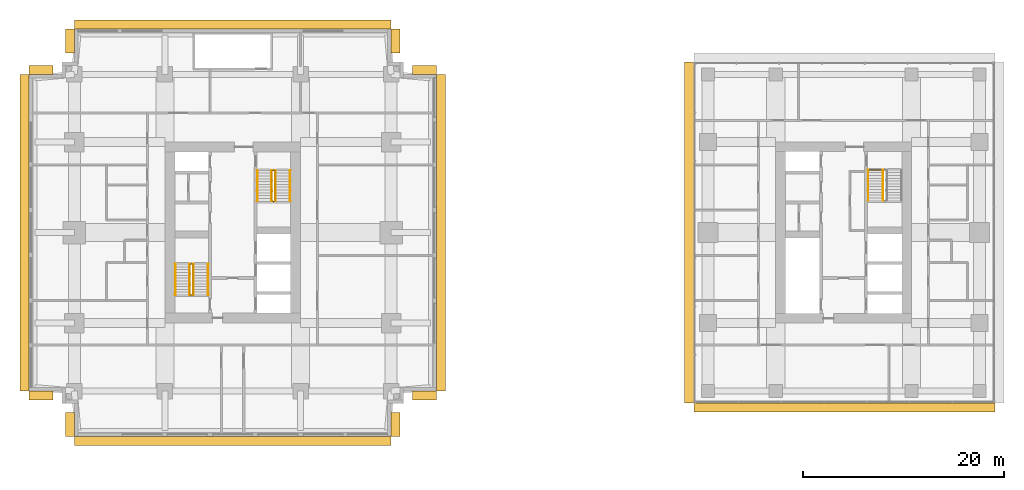
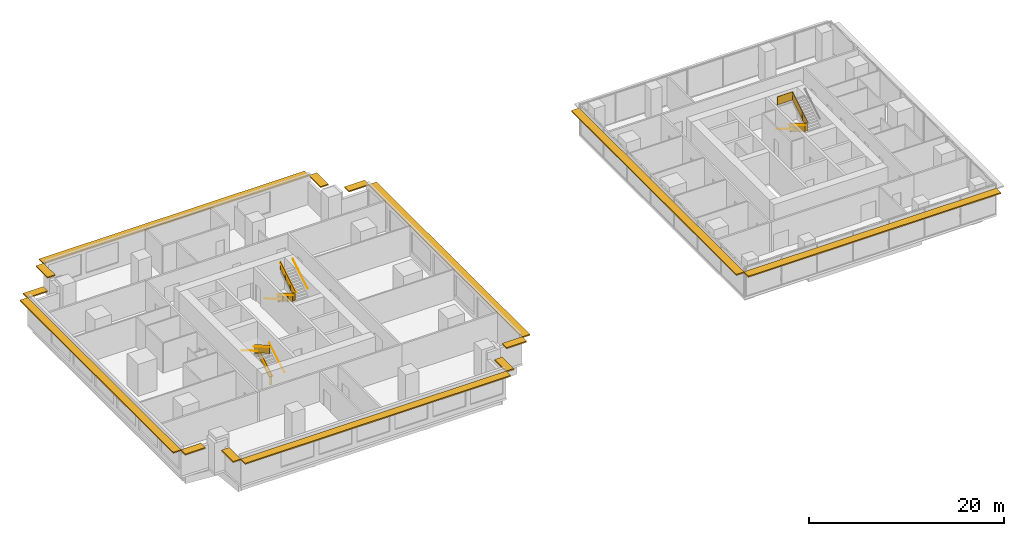
# One storey, part 13 of 14: 14 shading devices, 13 railings.
"""IFC4 building model written with IfcOpenShell, lengths in metres."""

from ifc_helpers import new_model, si_unit, direction, frame, origin, origin_2d, place, context, subcontext, project, spatial, polyline, rectangle, circle, outline, extrude, material, layer, layer_set, type_object, element, save


model = new_model("IFC4")

# Units and contexts
model_context = context("Model", 3, precision=1e-05, world=origin(), true_north=direction((0.0, 1.0)))
body_context = subcontext(model_context, "Body", "Model", "MODEL_VIEW")
ifc_project = project(units=[si_unit("LENGTHUNIT", "METRE"), si_unit("AREAUNIT", "SQUARE_METRE"), si_unit("VOLUMEUNIT", "CUBIC_METRE"), si_unit("PLANEANGLEUNIT", "RADIAN"), si_unit("MASSUNIT", "GRAM", prefix="KILO")], contexts=[model_context])

# Site, building, storey
site_placement = place(None, origin())
site = spatial("IfcSite", under=ifc_project, at=site_placement, CompositionType="ELEMENT")
building_placement = place(site_placement, origin())
building = spatial("IfcBuilding", under=site, at=building_placement, Name="Namib Vertical Campus", CompositionType="ELEMENT")
storey_placement = place(building_placement, frame((0.0, 0.0, 233.0)))
storey = spatial("IfcBuildingStorey", under=building, at=storey_placement, Name="L55", CompositionType="ELEMENT", Elevation=233.0)

# Railings
ifc_material_1 = material(Name="Steel handrail", Category="steel")
railing_type_1 = type_object("IfcRailingType", Name="Handrail 900", PredefinedType="HANDRAIL", material=ifc_material_1)
railing_1_placement = place(storey_placement, frame((17.800048828125, 14.050048828125, 0.166748046875)))
element("IfcRailing", 1, at=railing_1_placement, inside=storey, type_object=railing_type_1, Name="Handrail HR1 A-S1 L55 1", PredefinedType="HANDRAIL", context=body_context, shape_type="SweptSolid", body=[
    extrude(circle(Radius=0.02392578125, at=origin_2d()), frame((0.0, 0.0, 0.8759765625), z_axis=(0.0, 0.859290745958, 0.51148745235), x_axis=(-1.0, 0.0, 0.0)), (0.0, 0.0, 1.0), 3.584228515625),
    extrude(circle(Radius=0.008056640625, at=origin_2d()), frame((0.0, 0.0, 0.8759765625), z_axis=(1.0, 0.0, 0.0), x_axis=(0.0, 0.0, 1.0)), (0.0, 0.0, 1.0), 0.050048828125),
    extrude(circle(Radius=0.008056640625, at=origin_2d()), frame((0.0, 1.026611328125, 1.48681640625), z_axis=(1.0, 0.0, 0.0), x_axis=(0.0, 0.0, 1.0)), (0.0, 0.0, 1.0), 0.050048828125),
    extrude(circle(Radius=0.008056640625, at=origin_2d()), frame((0.0, 2.05322265625, 2.09814453125), z_axis=(1.0, 0.0, 0.0), x_axis=(0.0, 0.0, 1.0)), (0.0, 0.0, 1.0), 0.050048828125),
    extrude(circle(Radius=0.008056640625, at=origin_2d()), frame((0.0, 3.079833984375, 2.708984375), z_axis=(1.0, 0.0, 0.0), x_axis=(0.0, 0.0, 1.0)), (0.0, 0.0, 1.0), 0.050048828125),
])
railing_2_placement = place(storey_placement, frame((14.550048828125, 17.1298828125, 2.166748046875)))
element("IfcRailing", 2, at=railing_2_placement, inside=storey, type_object=railing_type_1, Name="Handrail HR1 A-S1 L55 2", PredefinedType="HANDRAIL", context=body_context, shape_type="SweptSolid", body=[
    extrude(circle(Radius=0.02392578125, at=origin_2d()), frame((0.0, 0.0, 0.8759765625), z_axis=(0.0, -0.859290745958, 0.51148745235), x_axis=(1.0, 0.0, 0.0)), (0.0, 0.0, 1.0), 3.584228515625),
    extrude(circle(Radius=0.008056640625, at=origin_2d()), frame((0.0, 0.0, 0.8759765625), z_axis=(-1.0, 0.0, 0.0), x_axis=(0.0, 0.0, 1.0)), (0.0, 0.0, 1.0), 0.050048828125),
    extrude(circle(Radius=0.008056640625, at=origin_2d()), frame((0.0, -1.026611328125, 1.48681640625), z_axis=(-1.0, 0.0, 0.0), x_axis=(0.0, 0.0, 1.0)), (0.0, 0.0, 1.0), 0.050048828125),
    extrude(circle(Radius=0.008056640625, at=origin_2d()), frame((0.0, -2.05322265625, 2.09814453125), z_axis=(-1.0, 0.0, 0.0), x_axis=(0.0, 0.0, 1.0)), (0.0, 0.0, 1.0), 0.050048828125),
    extrude(circle(Radius=0.008056640625, at=origin_2d()), frame((0.0, -3.079833984375, 2.708984375), z_axis=(-1.0, 0.0, 0.0), x_axis=(0.0, 0.0, 1.0)), (0.0, 0.0, 1.0), 0.050048828125),
])
railing_3_placement = place(storey_placement, frame((16.375, 14.050048828125, 0.166748046875)))
element("IfcRailing", 3, at=railing_3_placement, inside=storey, type_object=railing_type_1, Name="Handrail HR1 A-S1 L55 1 at the well", PredefinedType="HANDRAIL", context=body_context, shape_type="SweptSolid", body=[
    extrude(circle(Radius=0.02392578125, at=origin_2d()), frame((0.0, 0.0, 0.8759765625), z_axis=(0.0, 0.859290745958, 0.51148745235), x_axis=(-1.0, 0.0, 0.0)), (0.0, 0.0, 1.0), 3.584228515625),
    extrude(circle(Radius=0.008056640625, at=origin_2d()), frame((0.0, 0.0, 0.8759765625), z_axis=(-1.0, 0.0, 0.0), x_axis=(0.0, 0.0, 1.0)), (0.0, 0.0, 1.0), 0.0400390625),
    extrude(circle(Radius=0.008056640625, at=origin_2d()), frame((0.0, 1.026611328125, 1.48681640625), z_axis=(-1.0, 0.0, 0.0), x_axis=(0.0, 0.0, 1.0)), (0.0, 0.0, 1.0), 0.0400390625),
    extrude(circle(Radius=0.008056640625, at=origin_2d()), frame((0.0, 2.05322265625, 2.09814453125), z_axis=(-1.0, 0.0, 0.0), x_axis=(0.0, 0.0, 1.0)), (0.0, 0.0, 1.0), 0.0400390625),
    extrude(circle(Radius=0.008056640625, at=origin_2d()), frame((0.0, 3.079833984375, 2.708984375), z_axis=(-1.0, 0.0, 0.0), x_axis=(0.0, 0.0, 1.0)), (0.0, 0.0, 1.0), 0.0400390625),
])
railing_4_placement = place(storey_placement, frame((15.97509765625, 17.1298828125, 2.166748046875)))
element("IfcRailing", 4, at=railing_4_placement, inside=storey, type_object=railing_type_1, Name="Handrail HR1 A-S1 L55 2 at the well", PredefinedType="HANDRAIL", context=body_context, shape_type="SweptSolid", body=[
    extrude(circle(Radius=0.02392578125, at=origin_2d()), frame((0.0, 0.0, 0.8759765625), z_axis=(0.0, -0.859290745958, 0.51148745235), x_axis=(1.0, 0.0, 0.0)), (0.0, 0.0, 1.0), 3.584228515625),
    extrude(circle(Radius=0.008056640625, at=origin_2d()), frame((0.0, 0.0, 0.8759765625), z_axis=(1.0, 0.0, 0.0), x_axis=(0.0, 0.0, 1.0)), (0.0, 0.0, 1.0), 0.0400390625),
    extrude(circle(Radius=0.008056640625, at=origin_2d()), frame((0.0, -1.026611328125, 1.48681640625), z_axis=(1.0, 0.0, 0.0), x_axis=(0.0, 0.0, 1.0)), (0.0, 0.0, 1.0), 0.0400390625),
    extrude(circle(Radius=0.008056640625, at=origin_2d()), frame((0.0, -2.05322265625, 2.09814453125), z_axis=(1.0, 0.0, 0.0), x_axis=(0.0, 0.0, 1.0)), (0.0, 0.0, 1.0), 0.0400390625),
    extrude(circle(Radius=0.008056640625, at=origin_2d()), frame((0.0, -3.079833984375, 2.708984375), z_axis=(1.0, 0.0, 0.0), x_axis=(0.0, 0.0, 1.0)), (0.0, 0.0, 1.0), 0.0400390625),
])
railing_5_placement = place(storey_placement, frame((22.699951171875, 26.449951171875, 0.166748046875)))
element("IfcRailing", 5, at=railing_5_placement, inside=storey, type_object=railing_type_1, Name="Handrail HR1 A-S2 L55 1", PredefinedType="HANDRAIL", context=body_context, shape_type="SweptSolid", body=[
    extrude(circle(Radius=0.02392578125, at=origin_2d()), frame((0.0, 0.0, 0.8759765625), z_axis=(0.0, -0.859290745958, 0.51148745235), x_axis=(1.0, 0.0, 0.0)), (0.0, 0.0, 1.0), 3.584228515625),
    extrude(circle(Radius=0.008056640625, at=origin_2d()), frame((0.0, 0.0, 0.8759765625), z_axis=(-1.0, 0.0, 0.0), x_axis=(0.0, 0.0, 1.0)), (0.0, 0.0, 1.0), 0.050048828125),
    extrude(circle(Radius=0.008056640625, at=origin_2d()), frame((0.0, -1.026611328125, 1.48681640625), z_axis=(-1.0, 0.0, 0.0), x_axis=(0.0, 0.0, 1.0)), (0.0, 0.0, 1.0), 0.050048828125),
    extrude(circle(Radius=0.008056640625, at=origin_2d()), frame((0.0, -2.05322265625, 2.09814453125), z_axis=(-1.0, 0.0, 0.0), x_axis=(0.0, 0.0, 1.0)), (0.0, 0.0, 1.0), 0.050048828125),
    extrude(circle(Radius=0.008056640625, at=origin_2d()), frame((0.0, -3.079833984375, 2.708984375), z_axis=(-1.0, 0.0, 0.0), x_axis=(0.0, 0.0, 1.0)), (0.0, 0.0, 1.0), 0.050048828125),
])
railing_6_placement = place(storey_placement, frame((25.949951171875, 23.3701171875, 2.166748046875)))
element("IfcRailing", 6, at=railing_6_placement, inside=storey, type_object=railing_type_1, Name="Handrail HR1 A-S2 L55 2", PredefinedType="HANDRAIL", context=body_context, shape_type="SweptSolid", body=[
    extrude(circle(Radius=0.02392578125, at=origin_2d()), frame((0.0, 0.0, 0.8759765625), z_axis=(0.0, 0.859290745958, 0.51148745235), x_axis=(-1.0, 0.0, 0.0)), (0.0, 0.0, 1.0), 3.584228515625),
    extrude(circle(Radius=0.008056640625, at=origin_2d()), frame((0.0, 0.0, 0.8759765625), z_axis=(1.0, 0.0, 0.0), x_axis=(0.0, 0.0, 1.0)), (0.0, 0.0, 1.0), 0.050048828125),
    extrude(circle(Radius=0.008056640625, at=origin_2d()), frame((0.0, 1.026611328125, 1.48681640625), z_axis=(1.0, 0.0, 0.0), x_axis=(0.0, 0.0, 1.0)), (0.0, 0.0, 1.0), 0.050048828125),
    extrude(circle(Radius=0.008056640625, at=origin_2d()), frame((0.0, 2.05322265625, 2.09814453125), z_axis=(1.0, 0.0, 0.0), x_axis=(0.0, 0.0, 1.0)), (0.0, 0.0, 1.0), 0.050048828125),
    extrude(circle(Radius=0.008056640625, at=origin_2d()), frame((0.0, 3.079833984375, 2.708984375), z_axis=(1.0, 0.0, 0.0), x_axis=(0.0, 0.0, 1.0)), (0.0, 0.0, 1.0), 0.050048828125),
])
railing_7_placement = place(storey_placement, frame((24.125, 26.449951171875, 0.166748046875)))
element("IfcRailing", 7, at=railing_7_placement, inside=storey, type_object=railing_type_1, Name="Handrail HR1 A-S2 L55 1 at the well", PredefinedType="HANDRAIL", context=body_context, shape_type="SweptSolid", body=[
    extrude(circle(Radius=0.02392578125, at=origin_2d()), frame((0.0, 0.0, 0.8759765625), z_axis=(0.0, -0.859290745958, 0.51148745235), x_axis=(1.0, 0.0, 0.0)), (0.0, 0.0, 1.0), 3.584228515625),
    extrude(circle(Radius=0.008056640625, at=origin_2d()), frame((0.0, 0.0, 0.8759765625), z_axis=(1.0, 0.0, 0.0), x_axis=(0.0, 0.0, 1.0)), (0.0, 0.0, 1.0), 0.0400390625),
    extrude(circle(Radius=0.008056640625, at=origin_2d()), frame((0.0, -1.026611328125, 1.48681640625), z_axis=(1.0, 0.0, 0.0), x_axis=(0.0, 0.0, 1.0)), (0.0, 0.0, 1.0), 0.0400390625),
    extrude(circle(Radius=0.008056640625, at=origin_2d()), frame((0.0, -2.05322265625, 2.09814453125), z_axis=(1.0, 0.0, 0.0), x_axis=(0.0, 0.0, 1.0)), (0.0, 0.0, 1.0), 0.0400390625),
    extrude(circle(Radius=0.008056640625, at=origin_2d()), frame((0.0, -3.079833984375, 2.708984375), z_axis=(1.0, 0.0, 0.0), x_axis=(0.0, 0.0, 1.0)), (0.0, 0.0, 1.0), 0.0400390625),
])
railing_8_placement = place(storey_placement, frame((24.52490234375, 23.3701171875, 2.166748046875)))
element("IfcRailing", 8, at=railing_8_placement, inside=storey, type_object=railing_type_1, Name="Handrail HR1 A-S2 L55 2 at the well", PredefinedType="HANDRAIL", context=body_context, shape_type="SweptSolid", body=[
    extrude(circle(Radius=0.02392578125, at=origin_2d()), frame((0.0, 0.0, 0.8759765625), z_axis=(0.0, 0.859290745958, 0.51148745235), x_axis=(-1.0, 0.0, 0.0)), (0.0, 0.0, 1.0), 3.584228515625),
    extrude(circle(Radius=0.008056640625, at=origin_2d()), frame((0.0, 0.0, 0.8759765625), z_axis=(-1.0, 0.0, 0.0), x_axis=(0.0, 0.0, 1.0)), (0.0, 0.0, 1.0), 0.0400390625),
    extrude(circle(Radius=0.008056640625, at=origin_2d()), frame((0.0, 1.026611328125, 1.48681640625), z_axis=(-1.0, 0.0, 0.0), x_axis=(0.0, 0.0, 1.0)), (0.0, 0.0, 1.0), 0.0400390625),
    extrude(circle(Radius=0.008056640625, at=origin_2d()), frame((0.0, 2.05322265625, 2.09814453125), z_axis=(-1.0, 0.0, 0.0), x_axis=(0.0, 0.0, 1.0)), (0.0, 0.0, 1.0), 0.0400390625),
    extrude(circle(Radius=0.008056640625, at=origin_2d()), frame((0.0, 3.079833984375, 2.708984375), z_axis=(-1.0, 0.0, 0.0), x_axis=(0.0, 0.0, 1.0)), (0.0, 0.0, 1.0), 0.0400390625),
])
railing_9_placement = place(storey_placement, frame((83.449951171875, 26.5, 0.166748046875)))
element("IfcRailing", 9, at=railing_9_placement, inside=storey, type_object=railing_type_1, Name="Handrail HR1 B-S2 L55 1", PredefinedType="HANDRAIL", context=body_context, shape_type="SweptSolid", body=[
    extrude(circle(Radius=0.02392578125, at=origin_2d()), frame((0.0, 0.0, 0.8759765625), z_axis=(0.0, -0.859308565015, 0.511457515432), x_axis=(1.0, 0.0, 0.0)), (0.0, 0.0, 1.0), 3.58447265625),
    extrude(circle(Radius=0.008056640625, at=origin_2d()), frame((0.0, 0.0, 0.8759765625), z_axis=(-1.0, 0.0, 0.0), x_axis=(0.0, 0.0, 1.0)), (0.0, 0.0, 1.0), 0.050048828125),
    extrude(circle(Radius=0.008056640625, at=origin_2d()), frame((0.0, -1.026611328125, 1.48681640625), z_axis=(-1.0, 0.0, 0.0), x_axis=(0.0, 0.0, 1.0)), (0.0, 0.0, 1.0), 0.050048828125),
    extrude(circle(Radius=0.008056640625, at=origin_2d()), frame((0.0, -2.053466796875, 2.09814453125), z_axis=(-1.0, 0.0, 0.0), x_axis=(0.0, 0.0, 1.0)), (0.0, 0.0, 1.0), 0.050048828125),
    extrude(circle(Radius=0.008056640625, at=origin_2d()), frame((0.0, -3.080078125, 2.708984375), z_axis=(-1.0, 0.0, 0.0), x_axis=(0.0, 0.0, 1.0)), (0.0, 0.0, 1.0), 0.050048828125),
])
railing_10_placement = place(storey_placement, frame((84.89990234375, 26.5, 0.166748046875)))
element("IfcRailing", 10, at=railing_10_placement, inside=storey, type_object=railing_type_1, Name="Handrail HR1 B-S2 L55 1 at the well", PredefinedType="HANDRAIL", context=body_context, shape_type="SweptSolid", body=[
    extrude(circle(Radius=0.02392578125, at=origin_2d()), frame((0.0, 0.0, 0.8759765625), z_axis=(0.0, -0.859308565015, 0.511457515432), x_axis=(1.0, 0.0, 0.0)), (0.0, 0.0, 1.0), 3.58447265625),
    extrude(circle(Radius=0.008056640625, at=origin_2d()), frame((0.0, 0.0, 0.8759765625), z_axis=(1.0, 0.0, 0.0), x_axis=(0.0, 0.0, 1.0)), (0.0, 0.0, 1.0), 0.0400390625),
    extrude(circle(Radius=0.008056640625, at=origin_2d()), frame((0.0, -1.026611328125, 1.48681640625), z_axis=(1.0, 0.0, 0.0), x_axis=(0.0, 0.0, 1.0)), (0.0, 0.0, 1.0), 0.0400390625),
    extrude(circle(Radius=0.008056640625, at=origin_2d()), frame((0.0, -2.053466796875, 2.09814453125), z_axis=(1.0, 0.0, 0.0), x_axis=(0.0, 0.0, 1.0)), (0.0, 0.0, 1.0), 0.0400390625),
    extrude(circle(Radius=0.008056640625, at=origin_2d()), frame((0.0, -3.080078125, 2.708984375), z_axis=(1.0, 0.0, 0.0), x_axis=(0.0, 0.0, 1.0)), (0.0, 0.0, 1.0), 0.0400390625),
])
ifc_material_2 = material(Name="Steel balustrade", Category="steel")
railing_type_2 = type_object("IfcRailingType", Name="Stair guard 1100", PredefinedType="GUARDRAIL", material=ifc_material_2)
railing_11_placement = place(storey_placement, frame((16.02490234375, 14.050048828125, 0.0)))
element("IfcRailing", 11, at=railing_11_placement, inside=storey, type_object=railing_type_2, Name="Stair guard GR1 A-S1 L55", PredefinedType="GUARDRAIL", context=body_context, shape_type="SweptSolid", body=[
    extrude(circle(Radius=0.02392578125, at=origin_2d()), frame((0.0, 0.0, 1.076171875), z_axis=(1.0, 0.0, 0.0), x_axis=(0.0, 1.0, 0.0)), (0.0, 0.0, 1.0), 0.300048828125),
    extrude(outline(polyline([(0.02099609375, 0.050048828125), (0.279052734375, 0.050048828125), (0.279052734375, 1.052001953125), (0.02099609375, 1.052001953125), (0.02099609375, 0.050048828125)])), frame((0.0, 0.010009765625, 0.0), z_axis=(0.0, -1.0, 0.0), x_axis=(1.0, 0.0, 0.0)), (0.0, 0.0, 1.0), 0.02001953125),
    extrude(circle(Radius=0.02392578125, at=origin_2d()), frame((0.300048828125, 0.0, 1.076171875), z_axis=(0.0, 0.0, 1.0), x_axis=(1.0, 0.0, 0.0)), (0.0, 0.0, 1.0), 0.166748046875),
    extrude(circle(Radius=0.02392578125, at=origin_2d()), frame((0.300048828125, 0.0, 1.24267578125), z_axis=(0.0, 0.859290745958, 0.51148745235), x_axis=(-1.0, 0.0, 0.0)), (0.0, 0.0, 1.0), 3.584228515625),
    extrude(outline(polyline([(0.02099609375, 0.0625), (3.058837890625, 1.870849609375), (3.058837890625, 2.872802734375), (0.02099609375, 1.064453125), (0.02099609375, 0.0625)])), frame((0.2900390625, 0.0, 0.166748046875), z_axis=(1.0, 0.0, 0.0), x_axis=(0.0, 1.0, 0.0)), (0.0, 0.0, 1.0), 0.02001953125),
    extrude(circle(Radius=0.02392578125, at=origin_2d()), frame((0.300048828125, 3.079833984375, 3.076171875), z_axis=(-1.0, 0.0, 0.0), x_axis=(0.0, -1.0, 0.0)), (0.0, 0.0, 1.0), 0.300048828125),
    extrude(outline(polyline([(0.02099609375, 0.050048828125), (0.279052734375, 0.050048828125), (0.279052734375, 1.052001953125), (0.02099609375, 1.052001953125), (0.02099609375, 0.050048828125)])), frame((0.300048828125, 3.06982421875, 2.0), z_axis=(0.0, 1.0, 0.0), x_axis=(-1.0, 0.0, 0.0)), (0.0, 0.0, 1.0), 0.02001953125),
    extrude(circle(Radius=0.02392578125, at=origin_2d()), frame((0.0, 3.079833984375, 3.076171875), z_axis=(0.0, 0.0, 1.0), x_axis=(1.0, 0.0, 0.0)), (0.0, 0.0, 1.0), 0.166748046875),
    extrude(circle(Radius=0.02392578125, at=origin_2d()), frame((0.0, 3.079833984375, 3.24267578125), z_axis=(0.0, -0.859290745958, 0.51148745235), x_axis=(1.0, 0.0, 0.0)), (0.0, 0.0, 1.0), 3.584228515625),
    extrude(outline(polyline([(0.02099609375, 0.0625), (3.058837890625, 1.870849609375), (3.058837890625, 2.872802734375), (0.02099609375, 1.064453125), (0.02099609375, 0.0625)])), frame((0.010009765625, 3.079833984375, 2.166748046875), z_axis=(-1.0, 0.0, 0.0), x_axis=(0.0, -1.0, 0.0)), (0.0, 0.0, 1.0), 0.02001953125),
    extrude(circle(Radius=0.02392578125, at=origin_2d()), frame((0.0, 0.0, 5.076171875), z_axis=(0.0, -1.0, 0.0), x_axis=(1.0, 0.0, 0.0)), (0.0, 0.0, 1.0), 0.050048828125),
    extrude(outline(polyline([(0.02099609375, 0.050048828125), (0.029052734375, 0.050048828125), (0.029052734375, 1.052001953125), (0.02099609375, 1.052001953125), (0.02099609375, 0.050048828125)])), frame((0.010009765625, 0.0, 4.0), z_axis=(-1.0, 0.0, 0.0), x_axis=(0.0, -1.0, 0.0)), (0.0, 0.0, 1.0), 0.02001953125),
    extrude(circle(Radius=0.02099609375, at=origin_2d()), origin(), (0.0, 0.0, 1.0), 1.052001953125),
    extrude(circle(Radius=0.02099609375, at=origin_2d()), frame((0.300048828125, 0.0, 0.166748046875)), (0.0, 0.0, 1.0), 1.052001953125),
    extrude(circle(Radius=0.02099609375, at=origin_2d()), frame((0.300048828125, 1.026611328125, 0.666748046875)), (0.0, 0.0, 1.0), 1.1630859375),
    extrude(circle(Radius=0.02099609375, at=origin_2d()), frame((0.300048828125, 2.05322265625, 1.33349609375)), (0.0, 0.0, 1.0), 1.107421875),
    extrude(circle(Radius=0.02099609375, at=origin_2d()), frame((0.300048828125, 3.079833984375, 2.0)), (0.0, 0.0, 1.0), 1.052001953125),
    extrude(circle(Radius=0.02099609375, at=origin_2d()), frame((0.0, 3.079833984375, 2.166748046875)), (0.0, 0.0, 1.0), 1.052001953125),
    extrude(circle(Radius=0.02099609375, at=origin_2d()), frame((0.0, 2.05322265625, 2.666748046875)), (0.0, 0.0, 1.0), 1.1630859375),
    extrude(circle(Radius=0.02099609375, at=origin_2d()), frame((0.0, 1.026611328125, 3.33349609375)), (0.0, 0.0, 1.0), 1.107421875),
    extrude(circle(Radius=0.02099609375, at=origin_2d()), frame((0.0, 0.0, 4.0)), (0.0, 0.0, 1.0), 1.052001953125),
    extrude(circle(Radius=0.02099609375, at=origin_2d()), frame((0.0, -0.050048828125, 4.0)), (0.0, 0.0, 1.0), 1.052001953125),
])
railing_12_placement = place(storey_placement, frame((24.47509765625, 26.449951171875, 0.0)))
element("IfcRailing", 12, at=railing_12_placement, inside=storey, type_object=railing_type_2, Name="Stair guard GR1 A-S2 L55", PredefinedType="GUARDRAIL", context=body_context, shape_type="SweptSolid", body=[
    extrude(circle(Radius=0.02392578125, at=origin_2d()), frame((0.0, 0.0, 1.076171875), z_axis=(-1.0, 0.0, 0.0), x_axis=(0.0, -1.0, 0.0)), (0.0, 0.0, 1.0), 0.300048828125),
    extrude(outline(polyline([(0.02099609375, 0.050048828125), (0.279052734375, 0.050048828125), (0.279052734375, 1.052001953125), (0.02099609375, 1.052001953125), (0.02099609375, 0.050048828125)])), frame((0.0, -0.010009765625, 0.0), z_axis=(0.0, 1.0, 0.0), x_axis=(-1.0, 0.0, 0.0)), (0.0, 0.0, 1.0), 0.02001953125),
    extrude(circle(Radius=0.02392578125, at=origin_2d()), frame((-0.300048828125, 0.0, 1.076171875), z_axis=(0.0, 0.0, 1.0), x_axis=(1.0, 0.0, 0.0)), (0.0, 0.0, 1.0), 0.166748046875),
    extrude(circle(Radius=0.02392578125, at=origin_2d()), frame((-0.300048828125, 0.0, 1.24267578125), z_axis=(0.0, -0.859290745958, 0.51148745235), x_axis=(1.0, 0.0, 0.0)), (0.0, 0.0, 1.0), 3.584228515625),
    extrude(outline(polyline([(0.02099609375, 0.0625), (3.058837890625, 1.870849609375), (3.058837890625, 2.872802734375), (0.02099609375, 1.064453125), (0.02099609375, 0.0625)])), frame((-0.2900390625, 0.0, 0.166748046875), z_axis=(-1.0, 0.0, 0.0), x_axis=(0.0, -1.0, 0.0)), (0.0, 0.0, 1.0), 0.02001953125),
    extrude(circle(Radius=0.02392578125, at=origin_2d()), frame((-0.300048828125, -3.079833984375, 3.076171875), z_axis=(1.0, 0.0, 0.0), x_axis=(0.0, 1.0, 0.0)), (0.0, 0.0, 1.0), 0.300048828125),
    extrude(outline(polyline([(0.02099609375, 0.050048828125), (0.279052734375, 0.050048828125), (0.279052734375, 1.052001953125), (0.02099609375, 1.052001953125), (0.02099609375, 0.050048828125)])), frame((-0.300048828125, -3.06982421875, 2.0), z_axis=(0.0, -1.0, 0.0), x_axis=(1.0, 0.0, 0.0)), (0.0, 0.0, 1.0), 0.02001953125),
    extrude(circle(Radius=0.02392578125, at=origin_2d()), frame((0.0, -3.079833984375, 3.076171875), z_axis=(0.0, 0.0, 1.0), x_axis=(1.0, 0.0, 0.0)), (0.0, 0.0, 1.0), 0.166748046875),
    extrude(circle(Radius=0.02392578125, at=origin_2d()), frame((0.0, -3.079833984375, 3.24267578125), z_axis=(0.0, 0.859290745958, 0.51148745235), x_axis=(-1.0, 0.0, 0.0)), (0.0, 0.0, 1.0), 3.584228515625),
    extrude(outline(polyline([(0.02099609375, 0.0625), (3.058837890625, 1.870849609375), (3.058837890625, 2.872802734375), (0.02099609375, 1.064453125), (0.02099609375, 0.0625)])), frame((-0.010009765625, -3.079833984375, 2.166748046875), z_axis=(1.0, 0.0, 0.0), x_axis=(0.0, 1.0, 0.0)), (0.0, 0.0, 1.0), 0.02001953125),
    extrude(circle(Radius=0.02392578125, at=origin_2d()), frame((0.0, 0.0, 5.076171875), z_axis=(0.0, 1.0, 0.0), x_axis=(-1.0, 0.0, 0.0)), (0.0, 0.0, 1.0), 0.050048828125),
    extrude(outline(polyline([(0.02099609375, 0.050048828125), (0.029052734375, 0.050048828125), (0.029052734375, 1.052001953125), (0.02099609375, 1.052001953125), (0.02099609375, 0.050048828125)])), frame((-0.010009765625, 0.0, 4.0), z_axis=(1.0, 0.0, 0.0), x_axis=(0.0, 1.0, 0.0)), (0.0, 0.0, 1.0), 0.02001953125),
    extrude(circle(Radius=0.02099609375, at=origin_2d()), origin(), (0.0, 0.0, 1.0), 1.052001953125),
    extrude(circle(Radius=0.02099609375, at=origin_2d()), frame((-0.300048828125, 0.0, 0.166748046875)), (0.0, 0.0, 1.0), 1.052001953125),
    extrude(circle(Radius=0.02099609375, at=origin_2d()), frame((-0.300048828125, -1.026611328125, 0.666748046875)), (0.0, 0.0, 1.0), 1.1630859375),
    extrude(circle(Radius=0.02099609375, at=origin_2d()), frame((-0.300048828125, -2.05322265625, 1.33349609375)), (0.0, 0.0, 1.0), 1.107421875),
    extrude(circle(Radius=0.02099609375, at=origin_2d()), frame((-0.300048828125, -3.079833984375, 2.0)), (0.0, 0.0, 1.0), 1.052001953125),
    extrude(circle(Radius=0.02099609375, at=origin_2d()), frame((0.0, -3.079833984375, 2.166748046875)), (0.0, 0.0, 1.0), 1.052001953125),
    extrude(circle(Radius=0.02099609375, at=origin_2d()), frame((0.0, -2.05322265625, 2.666748046875)), (0.0, 0.0, 1.0), 1.1630859375),
    extrude(circle(Radius=0.02099609375, at=origin_2d()), frame((0.0, -1.026611328125, 3.33349609375)), (0.0, 0.0, 1.0), 1.107421875),
    extrude(circle(Radius=0.02099609375, at=origin_2d()), frame((0.0, 0.0, 4.0)), (0.0, 0.0, 1.0), 1.052001953125),
    extrude(circle(Radius=0.02099609375, at=origin_2d()), frame((0.0, 0.050048828125, 4.0)), (0.0, 0.0, 1.0), 1.052001953125),
])
railing_13_placement = place(storey_placement, frame((85.25, 26.5, 0.0)))
element("IfcRailing", 13, at=railing_13_placement, inside=storey, type_object=railing_type_2, Name="Stair guard GR1 B-S2 L55", PredefinedType="GUARDRAIL", context=body_context, shape_type="SweptSolid", body=[
    extrude(circle(Radius=0.02392578125, at=origin_2d()), frame((0.0, 0.0, 1.076171875), z_axis=(-1.0, 0.0, 0.0), x_axis=(0.0, -1.0, 0.0)), (0.0, 0.0, 1.0), 0.300048828125),
    extrude(outline(polyline([(0.02099609375, 0.050048828125), (0.279052734375, 0.050048828125), (0.279052734375, 1.052001953125), (0.02099609375, 1.052001953125), (0.02099609375, 0.050048828125)])), frame((0.0, -0.010009765625, 0.0), z_axis=(0.0, 1.0, 0.0), x_axis=(-1.0, 0.0, 0.0)), (0.0, 0.0, 1.0), 0.02001953125),
    extrude(circle(Radius=0.02392578125, at=origin_2d()), frame((-0.300048828125, 0.0, 1.076171875), z_axis=(0.0, 0.0, 1.0), x_axis=(1.0, 0.0, 0.0)), (0.0, 0.0, 1.0), 0.166748046875),
    extrude(circle(Radius=0.02392578125, at=origin_2d()), frame((-0.300048828125, 0.0, 1.24267578125), z_axis=(0.0, -0.859308565015, 0.511457515432), x_axis=(1.0, 0.0, 0.0)), (0.0, 0.0, 1.0), 3.58447265625),
    extrude(outline(polyline([(0.02099609375, 0.0625), (3.05908203125, 1.870849609375), (3.05908203125, 2.872802734375), (0.02099609375, 1.064453125), (0.02099609375, 0.0625)])), frame((-0.2900390625, 0.0, 0.166748046875), z_axis=(-1.0, 0.0, 0.0), x_axis=(0.0, -1.0, 0.0)), (0.0, 0.0, 1.0), 0.02001953125),
    extrude(circle(Radius=0.02392578125, at=origin_2d()), frame((-0.300048828125, -3.080078125, 3.076171875), z_axis=(1.0, 0.0, 0.0), x_axis=(0.0, 1.0, 0.0)), (0.0, 0.0, 1.0), 0.300048828125),
    extrude(outline(polyline([(0.02099609375, 0.050048828125), (0.279052734375, 0.050048828125), (0.279052734375, 1.052001953125), (0.02099609375, 1.052001953125), (0.02099609375, 0.050048828125)])), frame((-0.300048828125, -3.070068359375, 2.0), z_axis=(0.0, -1.0, 0.0), x_axis=(1.0, 0.0, 0.0)), (0.0, 0.0, 1.0), 0.02001953125),
    extrude(circle(Radius=0.02392578125, at=origin_2d()), frame((0.0, -3.080078125, 3.076171875), z_axis=(0.0, 0.0, 1.0), x_axis=(1.0, 0.0, 0.0)), (0.0, 0.0, 1.0), 0.166748046875),
    extrude(circle(Radius=0.02392578125, at=origin_2d()), frame((0.0, -3.080078125, 3.24267578125), z_axis=(0.0, 0.859308565015, 0.511457515432), x_axis=(-1.0, 0.0, 0.0)), (0.0, 0.0, 1.0), 3.58447265625),
    extrude(outline(polyline([(0.02099609375, 0.0625), (3.05908203125, 1.870849609375), (3.05908203125, 2.872802734375), (0.02099609375, 1.064453125), (0.02099609375, 0.0625)])), frame((-0.010009765625, -3.080078125, 2.166748046875), z_axis=(1.0, 0.0, 0.0), x_axis=(0.0, 1.0, 0.0)), (0.0, 0.0, 1.0), 0.02001953125),
    extrude(circle(Radius=0.02392578125, at=origin_2d()), frame((0.0, 0.0, 5.076171875), z_axis=(-1.0, 0.0, 0.0), x_axis=(0.0, -1.0, 0.0)), (0.0, 0.0, 1.0), 1.800048828125),
    extrude(outline(polyline([(0.02099609375, 0.050048828125), (1.779052734375, 0.050048828125), (1.779052734375, 1.052001953125), (0.02099609375, 1.052001953125), (0.02099609375, 0.050048828125)])), frame((0.0, -0.010009765625, 4.0), z_axis=(0.0, 1.0, 0.0), x_axis=(-1.0, 0.0, 0.0)), (0.0, 0.0, 1.0), 0.02001953125),
    extrude(circle(Radius=0.02099609375, at=origin_2d()), origin(), (0.0, 0.0, 1.0), 1.052001953125),
    extrude(circle(Radius=0.02099609375, at=origin_2d()), frame((-0.300048828125, 0.0, 0.166748046875)), (0.0, 0.0, 1.0), 1.052001953125),
    extrude(circle(Radius=0.02099609375, at=origin_2d()), frame((-0.300048828125, -1.026611328125, 0.666748046875)), (0.0, 0.0, 1.0), 1.1630859375),
    extrude(circle(Radius=0.02099609375, at=origin_2d()), frame((-0.300048828125, -2.053466796875, 1.33349609375)), (0.0, 0.0, 1.0), 1.107421875),
    extrude(circle(Radius=0.02099609375, at=origin_2d()), frame((-0.300048828125, -3.080078125, 2.0)), (0.0, 0.0, 1.0), 1.052001953125),
    extrude(circle(Radius=0.02099609375, at=origin_2d()), frame((0.0, -3.080078125, 2.166748046875)), (0.0, 0.0, 1.0), 1.052001953125),
    extrude(circle(Radius=0.02099609375, at=origin_2d()), frame((0.0, -2.053466796875, 2.666748046875)), (0.0, 0.0, 1.0), 1.1630859375),
    extrude(circle(Radius=0.02099609375, at=origin_2d()), frame((0.0, -1.026611328125, 3.33349609375)), (0.0, 0.0, 1.0), 1.107421875),
    extrude(circle(Radius=0.02099609375, at=origin_2d()), frame((0.0, 0.0, 4.0)), (0.0, 0.0, 1.0), 1.052001953125),
    extrude(circle(Radius=0.02099609375, at=origin_2d()), frame((-0.89990234375, 0.0, 4.0)), (0.0, 0.0, 1.0), 1.052001953125),
    extrude(circle(Radius=0.02099609375, at=origin_2d()), frame((-1.800048828125, 0.0, 4.0)), (0.0, 0.0, 1.0), 1.052001953125),
])

# Shading devices
ifc_material_3 = material(Name="Concrete C40/50 precast", Category="concrete")
ifc_layer = layer(ifc_material_3, 0.14990234375)
ifc_layer_set = layer_set([ifc_layer], Name="Concrete C40/50 precast")
shading_device_type = type_object("IfcShadingDeviceType", Name="Sunshade hood 900", PredefinedType="SHUTTER", material=ifc_layer_set)
shading_device_1_placement = place(storey_placement, frame((20.25, -0.449951171875, 3.199951171875), z_axis=(0.0, 0.0, 1.0), x_axis=(1.0, 0.0, 0.0)))
element("IfcShadingDevice", 14, at=shading_device_1_placement, inside=storey, type_object=shading_device_type, Name="Sunshade SH1 L55 1", PredefinedType="SHUTTER", context=body_context, shape_type="SweptSolid", body=[
    extrude(rectangle(XDim=31.5, YDim=0.89990234375, at=origin_2d()), origin(), (0.0, 0.0, 1.0), 0.14990234375),
])
for number, where, z_axis, x_axis, name in (
    (15, (36.449951171875, 1.1875, 3.199951171875), (0.0, 0.0, 1.0), (0.0, 1.0, 0.0), "Sunshade SH1 L55 2"),
    (16, (39.3125, 4.050048828125, 3.199951171875), (0.0, 0.0, 1.0), (1.0, 0.0, 0.0), "Sunshade SH1 L55 5"),
):
    element("IfcShadingDevice", number, at=place(storey_placement, frame(where, z_axis=z_axis, x_axis=x_axis)), inside=storey, type_object=shading_device_type, Name=name, PredefinedType="SHUTTER", context=body_context, shape_type="SweptSolid", body=[
        extrude(rectangle(XDim=2.375, YDim=0.89990234375, at=origin_2d()), origin(), (0.0, 0.0, 1.0), 0.14990234375),
    ])
shading_device_2_placement = place(storey_placement, frame((40.949951171875, 20.25, 3.199951171875), z_axis=(0.0, 0.0, 1.0), x_axis=(0.0, 1.0, 0.0)))
element("IfcShadingDevice", 17, at=shading_device_2_placement, inside=storey, type_object=shading_device_type, Name="Sunshade SH1 L55 6", PredefinedType="SHUTTER", context=body_context, shape_type="SweptSolid", body=[
    extrude(rectangle(XDim=31.5, YDim=0.89990234375, at=origin_2d()), origin(), (0.0, 0.0, 1.0), 0.14990234375),
])
for number, where, z_axis, x_axis, name in (
    (18, (39.3125, 36.449951171875, 3.199951171875), (0.0, 0.0, 1.0), (-1.0, 0.0, 0.0), "Sunshade SH1 L55 7"),
    (19, (36.449951171875, 39.3125, 3.199951171875), (0.0, 0.0, 1.0), (0.0, 1.0, 0.0), "Sunshade SH1 L55 10"),
):
    element("IfcShadingDevice", number, at=place(storey_placement, frame(where, z_axis=z_axis, x_axis=x_axis)), inside=storey, type_object=shading_device_type, Name=name, PredefinedType="SHUTTER", context=body_context, shape_type="SweptSolid", body=[
        extrude(rectangle(XDim=2.375, YDim=0.89990234375, at=origin_2d()), origin(), (0.0, 0.0, 1.0), 0.14990234375),
    ])
shading_device_3_placement = place(storey_placement, frame((20.25, 40.949951171875, 3.199951171875), z_axis=(0.0, 0.0, 1.0), x_axis=(-1.0, 0.0, 0.0)))
element("IfcShadingDevice", 20, at=shading_device_3_placement, inside=storey, type_object=shading_device_type, Name="Sunshade SH1 L55 11", PredefinedType="SHUTTER", context=body_context, shape_type="SweptSolid", body=[
    extrude(rectangle(XDim=31.5, YDim=0.89990234375, at=origin_2d()), origin(), (0.0, 0.0, 1.0), 0.14990234375),
])
for number, where, z_axis, x_axis, name in (
    (21, (4.050048828125, 39.3125, 3.199951171875), (0.0, 0.0, 1.0), (0.0, -1.0, 0.0), "Sunshade SH1 L55 12"),
    (22, (1.1875, 36.449951171875, 3.199951171875), (0.0, 0.0, 1.0), (-1.0, 0.0, 0.0), "Sunshade SH1 L55 15"),
):
    element("IfcShadingDevice", number, at=place(storey_placement, frame(where, z_axis=z_axis, x_axis=x_axis)), inside=storey, type_object=shading_device_type, Name=name, PredefinedType="SHUTTER", context=body_context, shape_type="SweptSolid", body=[
        extrude(rectangle(XDim=2.375, YDim=0.89990234375, at=origin_2d()), origin(), (0.0, 0.0, 1.0), 0.14990234375),
    ])
shading_device_4_placement = place(storey_placement, frame((-0.449951171875, 20.25, 3.199951171875), z_axis=(0.0, 0.0, 1.0), x_axis=(0.0, -1.0, 0.0)))
element("IfcShadingDevice", 23, at=shading_device_4_placement, inside=storey, type_object=shading_device_type, Name="Sunshade SH1 L55 16", PredefinedType="SHUTTER", context=body_context, shape_type="SweptSolid", body=[
    extrude(rectangle(XDim=31.5, YDim=0.89990234375, at=origin_2d()), origin(), (0.0, 0.0, 1.0), 0.14990234375),
])
for number, where, z_axis, x_axis, name in (
    (24, (1.1875, 4.050048828125, 3.199951171875), (0.0, 0.0, 1.0), (1.0, 0.0, 0.0), "Sunshade SH1 L55 17"),
    (25, (4.050048828125, 1.1875, 3.199951171875), (0.0, 0.0, 1.0), (0.0, -1.0, 0.0), "Sunshade SH1 L55 20"),
):
    element("IfcShadingDevice", number, at=place(storey_placement, frame(where, z_axis=z_axis, x_axis=x_axis)), inside=storey, type_object=shading_device_type, Name=name, PredefinedType="SHUTTER", context=body_context, shape_type="SweptSolid", body=[
        extrude(rectangle(XDim=2.375, YDim=0.89990234375, at=origin_2d()), origin(), (0.0, 0.0, 1.0), 0.14990234375),
    ])
shading_device_5_placement = place(storey_placement, frame((81.074951171875, 2.860107421875, 3.10009765625), z_axis=(0.0, 0.0, 1.0), x_axis=(1.0, 0.0, 0.0)))
element("IfcShadingDevice", 26, at=shading_device_5_placement, inside=storey, type_object=shading_device_type, Name="Sunshade SH1 L55 1", PredefinedType="SHUTTER", context=body_context, shape_type="SweptSolid", body=[
    extrude(rectangle(XDim=29.949951171875, YDim=0.919921875, at=origin_2d()), origin(), (0.0, 0.0, 1.0), 0.14990234375),
])
shading_device_6_placement = place(storey_placement, frame((65.659912109375, 20.25, 3.10009765625), z_axis=(0.0, 0.0, 1.0), x_axis=(0.0, -1.0, 0.0)))
element("IfcShadingDevice", 27, at=shading_device_6_placement, inside=storey, type_object=shading_device_type, Name="Sunshade SH1 L55 4", PredefinedType="SHUTTER", context=body_context, shape_type="SweptSolid", body=[
    extrude(rectangle(XDim=33.89990234375, YDim=0.919921875, at=origin_2d()), origin(), (0.0, 0.0, 1.0), 0.14990234375),
])

save(model, "model.ifc")
